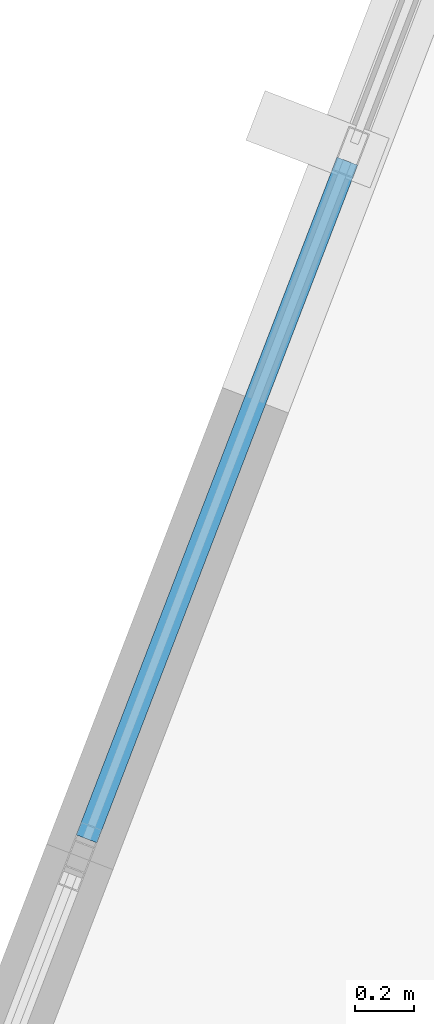
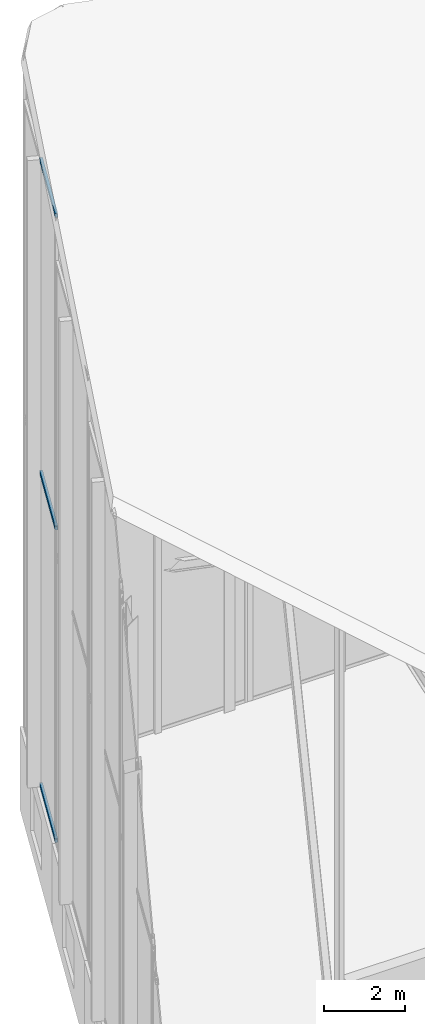
# One storey, part 33 of 74: 3 members, 1 element without a shape of its own.
"""IFC4 building model written with IfcOpenShell, lengths in metres."""

from ifc_helpers import new_model, si_unit, direction, frame, origin, origin_2d, place, context, subcontext, project, spatial, hollow_rectangle, extrude, material, layer, layer_set, material_profile, profile_set, type_object, element, aggregate, save


model = new_model("IFC4")

# Units and contexts
model_context = context("Model", 3, precision=1e-05, world=origin(), true_north=direction((0.0, 1.0)))
body_context = subcontext(model_context, "Body", "Model", "MODEL_VIEW")
ifc_project = project(units=[si_unit("LENGTHUNIT", "METRE"), si_unit("AREAUNIT", "SQUARE_METRE"), si_unit("VOLUMEUNIT", "CUBIC_METRE"), si_unit("PLANEANGLEUNIT", "RADIAN"), si_unit("MASSUNIT", "GRAM", prefix="KILO")], contexts=[model_context])

# Site, building, storey
site_placement = place(None, origin())
site = spatial("IfcSite", under=ifc_project, at=site_placement, CompositionType="ELEMENT")
building_placement = place(site_placement, origin())
building = spatial("IfcBuilding", under=site, at=building_placement, Name="Keshet Zoharim Tower", CompositionType="ELEMENT")
storey_placement = place(building_placement, frame((0.0, 0.0, 320.0)))
storey = spatial("IfcBuildingStorey", under=building, at=storey_placement, Name="RF", CompositionType="ELEMENT", Elevation=320.0)

# Curtain wall, members
ifc_material = material(Name="Aluminium 6063-T6", Category="aluminium")
ifc_layer = layer(ifc_material, 0.260009765625)
ifc_layer_set = layer_set([ifc_layer], Name="Aluminium 6063-T6")
curtain_wall_type = type_object("IfcCurtainWallType", Name="CW-SYS-06", PredefinedType="NOTDEFINED", material=ifc_layer_set)
curtain_wall_placement = place(storey_placement, origin())
curtain_wall = element("IfcCurtainWall", 1, at=curtain_wall_placement, inside=storey, type_object=curtain_wall_type, Name="Slanted Crown Curtain Wall 08", PredefinedType="NOTDEFINED")
ifc_material_profile = material_profile(ifc_material, hollow_rectangle(XDim=0.074951171875, YDim=0.1201171875, WallThickness=0.00390625, at=origin_2d()), Name="TRN-75x120")
ifc_profile_set = profile_set([ifc_material_profile], Name="Aluminium 6063-T6")
member_type = type_object("IfcMemberType", Name="CWT-T12", PredefinedType="USERDEFINED", material=ifc_profile_set)
member_1_placement = place(storey_placement, frame((12.6953125, 47.90771484375, 2.532470703125), z_axis=(0.359012353671, 0.933332807691, 0.0), x_axis=(-0.933332807691, 0.359012353671, 0.0)))
member_1 = element("IfcMember", 2, at=member_1_placement, type_object=member_type, Name="CW-06 transom 1.1", ObjectType="TRANSOM", PredefinedType="USERDEFINED", context=body_context, shape_type="SweptSolid", body=[
    extrude(hollow_rectangle(XDim=0.074951171875, YDim=0.1201171875, WallThickness=0.00390625, at=origin_2d()), origin(), (0.0, 0.0, 1.0), 2.458251953125),
])
member_2_placement = place(storey_placement, frame((12.6953125, 47.90771484375, 11.98095703125), z_axis=(0.359012353671, 0.933332807691, 0.0), x_axis=(-0.933332807691, 0.359012353671, 0.0)))
member_2 = element("IfcMember", 3, at=member_2_placement, type_object=member_type, Name="CW-06 transom 1.2", ObjectType="TRANSOM", PredefinedType="USERDEFINED", context=body_context, shape_type="SweptSolid", body=[
    extrude(hollow_rectangle(XDim=0.074951171875, YDim=0.1201171875, WallThickness=0.00390625, at=origin_2d()), origin(), (0.0, 0.0, 1.0), 2.458251953125),
])
member_3_placement = place(storey_placement, frame((12.6953125, 47.90771484375, 21.428466796875), z_axis=(0.359012353671, 0.933332807691, 0.0), x_axis=(-0.933332807691, 0.359012353671, 0.0)))
member_3 = element("IfcMember", 4, at=member_3_placement, type_object=member_type, Name="CW-06 transom 1.3", ObjectType="TRANSOM", PredefinedType="USERDEFINED", context=body_context, shape_type="SweptSolid", body=[
    extrude(hollow_rectangle(XDim=0.074951171875, YDim=0.1201171875, WallThickness=0.00390625, at=origin_2d()), origin(), (0.0, 0.0, 1.0), 2.458251953125),
])
aggregate(curtain_wall, [member_1, member_2, member_3])

save(model, "model.ifc")
